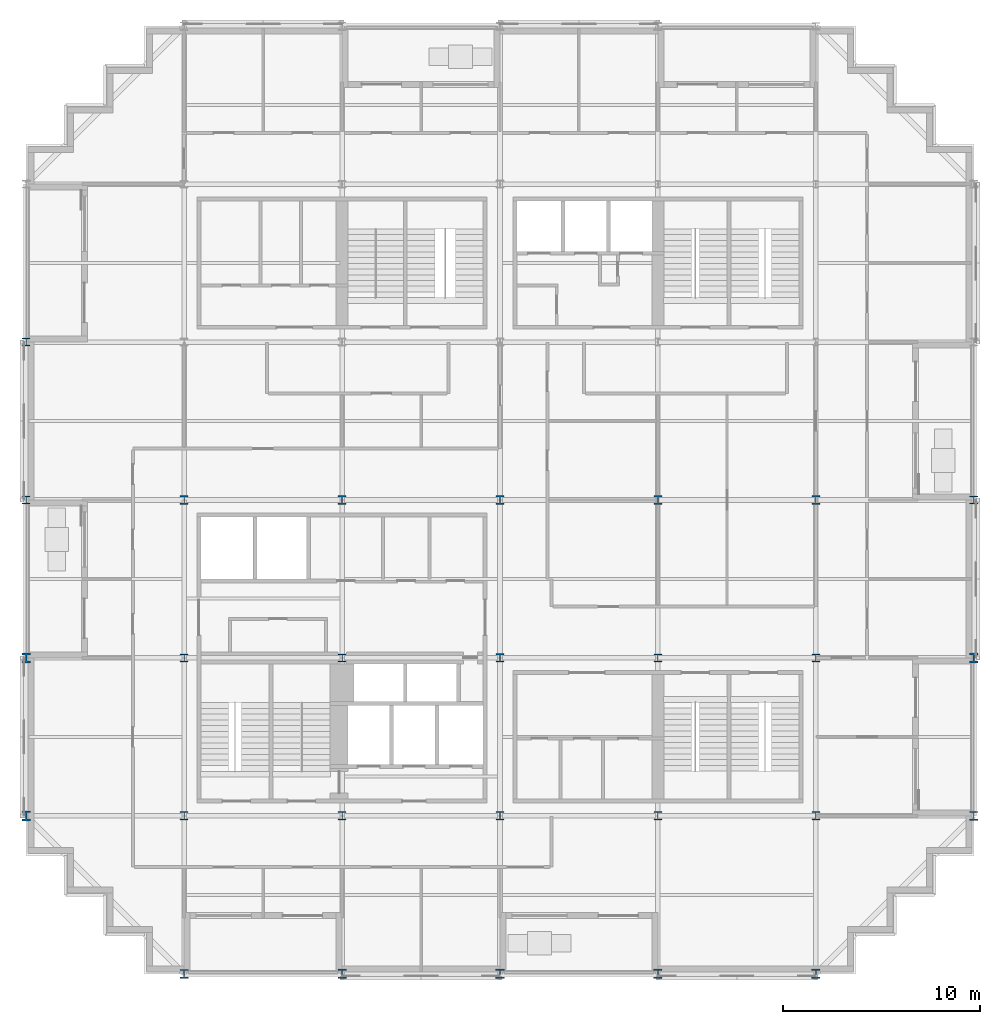
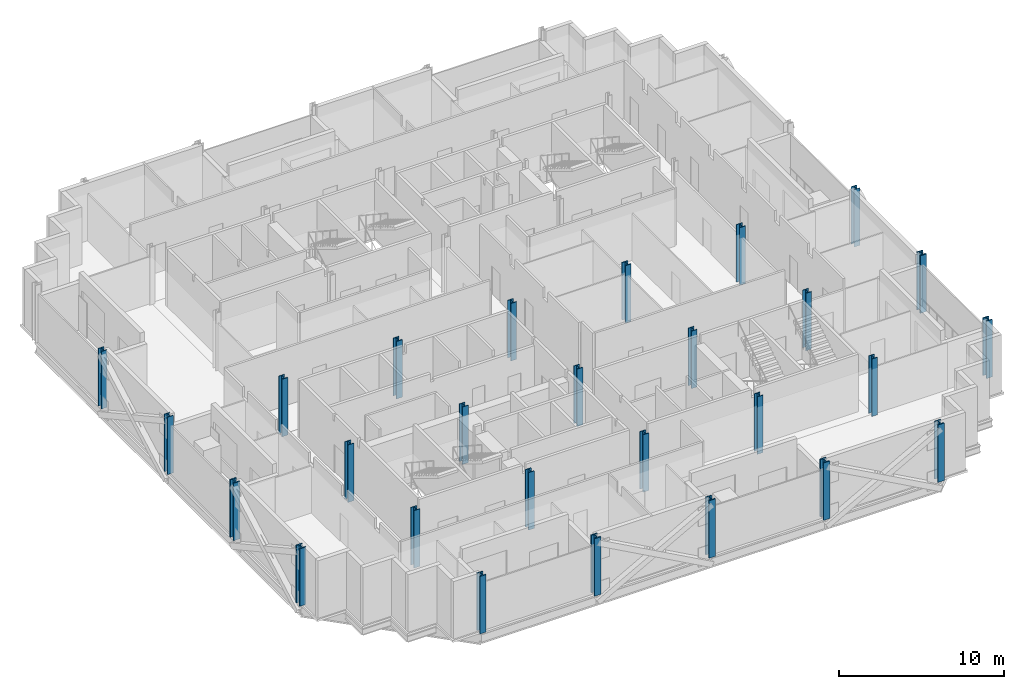
# One storey, part 1 of 15: 27 columns.
"""IFC4 building model written with IfcOpenShell, lengths in metres."""

import ifcopenshell
import ifcopenshell.guid

model = None  # the IFC model being written
_history = None  # IfcOwnerHistory: only IFC2X3 demands one
_inside = {}  # id of a spatial element -> (the spatial element, [elements in it])
_under = {}  # id of a project, library or spatial element -> (it, [spatial elements below it])
_declared = {}  # id of a project -> (the project, [libraries it declares])
_typed = {}  # id of a type object -> (the type object, [elements of that type])
_made_of = {}  # id of a material, layer set ... -> (it, [elements and type objects made of it])


def new_model(schema):
    """Start an empty IFC model of exactly this schema.

    Asked for "IFC4X3", IfcOpenShell would pick the latest addendum, in which some entities
    have other attributes; the version numbers below select the first issue.
    IFC2X3 requires an IfcOwnerHistory on every rooted entity: one is made here for all.
    """
    global model, _history
    if schema == "IFC4X3":
        model = ifcopenshell.file(schema_version=(4, 3, 0, 0))
    else:
        model = ifcopenshell.file(schema=schema)
    _inside.clear()
    _under.clear()
    _declared.clear()
    _typed.clear()
    _made_of.clear()
    _history = None
    if model.schema == "IFC2X3":
        org = make("IfcOrganization", Name="unknown")
        user = make(
            "IfcPersonAndOrganization",
            ThePerson=make("IfcPerson", FamilyName="unknown"),
            TheOrganization=org,
        )
        app = make(
            "IfcApplication",
            ApplicationDeveloper=org,
            Version="unknown",
            ApplicationFullName="unknown",
            ApplicationIdentifier="unknown",
        )
        _history = make(
            "IfcOwnerHistory",
            OwningUser=user,
            OwningApplication=app,
            ChangeAction="ADDED",
            CreationDate=0,
        )
    return model


def make(cls, **values):
    """One entity of the class cls with the attributes given. An attribute that is None is left unset."""
    return model.create_entity(
        cls, **{name: value for name, value in values.items() if value is not None}
    )


def rooted(cls, **values):
    """An entity with a GlobalId (a new one), such as an element, a storey or a relation."""
    return make(cls, GlobalId=ifcopenshell.guid.new(), OwnerHistory=_history, **values)


def si_unit(unit_type, name, prefix=None):
    """IfcSIUnit, for example si_unit("LENGTHUNIT", "METRE", prefix="MILLI")."""
    return make("IfcSIUnit", UnitType=unit_type, Prefix=prefix, Name=name)


def assignment(units):
    """IfcUnitAssignment: the units of a project."""
    return None if units is None else make("IfcUnitAssignment", Units=units)


def point(xyz):
    """IfcCartesianPoint."""
    return None if xyz is None else make("IfcCartesianPoint", Coordinates=xyz)


def direction(xyz):
    """IfcDirection."""
    return None if xyz is None else make("IfcDirection", DirectionRatios=xyz)


def frame(location, z_axis=None, x_axis=None):
    """IfcAxis2Placement3D, a coordinate frame: its origin and axes. An axis left out is left unset."""
    return make(
        "IfcAxis2Placement3D",
        Location=point(location),
        Axis=direction(z_axis),
        RefDirection=direction(x_axis),
    )


def frame_2d(location, x_axis=None):
    """IfcAxis2Placement2D, a coordinate frame in the plane: its origin and x axis."""
    return make(
        "IfcAxis2Placement2D", Location=point(location), RefDirection=direction(x_axis)
    )


def origin():
    """The frame at (0, 0, 0) with its axes left unset."""
    return frame((0.0, 0.0, 0.0))


def origin_2d():
    """The frame at (0, 0) in the plane with its x axis left unset."""
    return frame_2d((0.0, 0.0))


def place(relative_to, where):
    """IfcLocalPlacement: puts the frame where relative to a parent placement (None: the world)."""
    return make(
        "IfcLocalPlacement", PlacementRelTo=relative_to, RelativePlacement=where
    )


def context(
    kind, dimensions, precision=None, world=None, true_north=None, identifier=None
):
    """IfcGeometricRepresentationContext, for example the 3D "Model" context."""
    return make(
        "IfcGeometricRepresentationContext",
        ContextIdentifier=identifier,
        ContextType=kind,
        CoordinateSpaceDimension=dimensions,
        Precision=precision,
        WorldCoordinateSystem=world,
        TrueNorth=true_north,
    )


def subcontext(parent, identifier, kind, view, scale=None):
    """IfcGeometricRepresentationSubContext, for example "Body" below "Model"."""
    return make(
        "IfcGeometricRepresentationSubContext",
        ContextIdentifier=identifier,
        ContextType=kind,
        ParentContext=parent,
        TargetScale=scale,
        TargetView=view,
    )


def project(units=None, contexts=None):
    """IfcProject with its units and contexts."""
    return rooted(
        "IfcProject",
        Name="project",
        RepresentationContexts=contexts,
        UnitsInContext=assignment(units),
    )


def spatial(cls, under=None, at=None, **own):
    """A site, building, storey or space (cls), placed at a placement, below another one or the project."""
    s = rooted(cls, ObjectPlacement=at, **own)
    if under is not None:
        _under.setdefault(under.id(), (under, []))[1].append(s)
    return s


def profile(cls, at=None, kind="AREA", **sizes):
    """A parametric profile (cls). Its sizes go by their IFC names, for example OverallWidth=200.0."""
    return make(cls, ProfileType=kind, Position=at, **sizes)


def i_section(**sizes):
    """IfcIShapeProfileDef."""
    return profile("IfcIShapeProfileDef", **sizes)


def extrude(swept, where, along, depth):
    """IfcExtrudedAreaSolid: the profile swept, set in the frame where, extruded along a direction by depth."""
    return make(
        "IfcExtrudedAreaSolid",
        SweptArea=swept,
        Position=where,
        ExtrudedDirection=direction(along),
        Depth=depth,
    )


def shape(context_of_items, identifier, shape_type, items):
    """IfcShapeRepresentation: the items that make up one representation, for example the "Body"."""
    return make(
        "IfcShapeRepresentation",
        ContextOfItems=context_of_items,
        RepresentationIdentifier=identifier,
        RepresentationType=shape_type,
        Items=items,
    )


def material(Name=None, Category=None):
    """IfcMaterial."""
    return make("IfcMaterial", Name=Name, Category=Category)


def material_profile(
    of_material, cross_section, Name=None, Category=None, Priority=None
):
    """IfcMaterialProfile: a cross section and its material."""
    return make(
        "IfcMaterialProfile",
        Name=Name,
        Material=of_material,
        Profile=cross_section,
        Priority=Priority,
        Category=Category,
    )


def profile_set(profiles, Name=None, composite=None):
    """IfcMaterialProfileSet."""
    return make(
        "IfcMaterialProfileSet",
        Name=Name,
        MaterialProfiles=profiles,
        CompositeProfile=composite,
    )


def made_of(thing, what):
    """Note that an element or type object is made of a material, layer set ...; save() writes the relation."""
    if what is not None:
        _made_of.setdefault(what.id(), (what, []))[1].append(thing)
    return thing


def type_object(cls, material=None, **own):
    """A type object (cls), such as IfcWallType, which elements share."""
    return made_of(rooted(cls, **own), material)


def element(
    cls,
    number,
    at=None,
    inside=None,
    cuts=None,
    type_object=None,
    material=None,
    context=None,
    identifier="Body",
    shape_type=None,
    held_by="IfcProductDefinitionShape",
    body=None,
    shapes=None,
    **own,
):
    """One element of the class cls, such as IfcWall. Its Tag is "e" and its number.

    at: its placement. inside: the storey or other place that contains it. cuts: it is an
    opening in that element (IfcRelVoidsElement). A single representation is given by context,
    identifier, shape_type and body (its items); several are given by shapes. held_by: the class
    of the entity that holds the representations. save() writes the other relations.
    """
    e = rooted(cls, Tag="e%d" % number, ObjectPlacement=at, **own)
    if body is not None:
        shapes = [shape(context, identifier, shape_type, body)]
    if shapes is not None:
        e.Representation = make(held_by, Representations=shapes)
    if inside is not None:
        _inside.setdefault(inside.id(), (inside, []))[1].append(e)
    if cuts is not None:
        rooted(
            "IfcRelVoidsElement", RelatingBuildingElement=cuts, RelatedOpeningElement=e
        )
    if type_object is not None:
        _typed.setdefault(type_object.id(), (type_object, []))[1].append(e)
    return made_of(e, material)


def aggregate(whole, parts):
    """IfcRelAggregates: a whole, such as a stair, and the parts it consists of."""
    return rooted("IfcRelAggregates", RelatingObject=whole, RelatedObjects=parts)


def save(model, path):
    """Write the relations noted so far, then the file.

    IfcRelAggregates (storeys below a building ...), IfcRelContainedInSpatialStructure (elements
    in a storey), IfcRelDefinesByType, IfcRelAssociatesMaterial and IfcRelDeclares: one each for
    every whole, place, type object, material and project.
    """
    for whole, parts in _under.values():
        aggregate(whole, parts)
    for where, things in _inside.values():
        rooted(
            "IfcRelContainedInSpatialStructure",
            RelatedElements=things,
            RelatingStructure=where,
        )
    for kind, things in _typed.values():
        rooted("IfcRelDefinesByType", RelatedObjects=things, RelatingType=kind)
    for what, things in _made_of.values():
        rooted("IfcRelAssociatesMaterial", RelatedObjects=things, RelatingMaterial=what)
    for by, libraries in _declared.values():
        rooted("IfcRelDeclares", RelatingContext=by, RelatedDefinitions=libraries)
    model.write(path)


model = new_model("IFC4")

# Units and contexts
model_context = context("Model", 3, precision=1e-05, world=origin(), true_north=direction((0.0, 1.0)))
body_context = subcontext(model_context, "Body", "Model", "MODEL_VIEW")
ifc_project = project(units=[si_unit("LENGTHUNIT", "METRE"), si_unit("AREAUNIT", "SQUARE_METRE"), si_unit("VOLUMEUNIT", "CUBIC_METRE"), si_unit("PLANEANGLEUNIT", "RADIAN"), si_unit("MASSUNIT", "GRAM", prefix="KILO")], contexts=[model_context])

# Site, building, storey
site_placement = place(None, origin())
site = spatial("IfcSite", under=ifc_project, at=site_placement, CompositionType="ELEMENT")
building_placement = place(site_placement, origin())
building = spatial("IfcBuilding", under=site, at=building_placement, Name="Immortelle Media Tower", CompositionType="ELEMENT")
storey_placement = place(building_placement, frame((0.0, 0.0, 105.199951171875)))
storey = spatial("IfcBuildingStorey", under=building, at=storey_placement, Name="L20", CompositionType="ELEMENT", Elevation=105.199951171875)

# Columns
ifc_material = material(Name="Steel ASTM A992 Gr 50", Category="steel")
ifc_material_profile_1 = material_profile(ifc_material, i_section(OverallWidth=0.39892578125, OverallDepth=0.385986328125, WebThickness=0.02099609375, FlangeThickness=0.032958984375, at=origin_2d()), Name="W14x176")
ifc_profile_set_1 = profile_set([ifc_material_profile_1], Name="Steel ASTM A992 Gr 50")
column_type_1 = type_object("IfcColumnType", Name="W14x176 column", PredefinedType="COLUMN", material=ifc_profile_set_1)
column_placement = place(storey_placement, frame((48.0, 24.0, 0.0), z_axis=(0.0, 0.0, 1.0), x_axis=(1.0, 0.0, 0.0)))
element("IfcColumn", 1, at=column_placement, inside=storey, type_object=column_type_1, Name="Column 7/D", PredefinedType="COLUMN", context=body_context, shape_type="SweptSolid", body=[
    extrude(i_section(OverallWidth=0.39892578125, OverallDepth=0.385986328125, WebThickness=0.02099609375, FlangeThickness=0.032958984375, at=origin_2d()), origin(), (0.0, 0.0, 1.0), 4.25),
])
ifc_material_profile_2 = material_profile(ifc_material, i_section(OverallWidth=0.406005859375, OverallDepth=0.4169921875, WebThickness=0.030029296875, FlangeThickness=0.048095703125, at=origin_2d()), Name="W14x257")
ifc_profile_set_2 = profile_set([ifc_material_profile_2], Name="Steel ASTM A992 Gr 50")
column_type_2 = type_object("IfcColumnType", Name="W14x257 column", PredefinedType="COLUMN", material=ifc_profile_set_2)
for number, where, z_axis, x_axis, name in (
    (2, (0.0, 24.0, 0.0), (0.0, 0.0, 1.0), (1.0, 0.0, 0.0), "Column 1/D"),
    (3, (0.0, 32.0, 0.0), (0.0, 0.0, 1.0), (1.0, 0.0, 0.0), "Column 1/E"),
    (4, (8.0, 8.0, 0.0), (0.0, 0.0, 1.0), (1.0, 0.0, 0.0), "Column 2/B"),
    (5, (8.0, 16.0, 0.0), (0.0, 0.0, 1.0), (1.0, 0.0, 0.0), "Column 2/C"),
    (6, (16.0, 8.0, 0.0), (0.0, 0.0, 1.0), (1.0, 0.0, 0.0), "Column 3/B"),
    (7, (16.0, 16.0, 0.0), (0.0, 0.0, 1.0), (1.0, 0.0, 0.0), "Column 3/C"),
    (8, (32.0, 8.0, 0.0), (0.0, 0.0, 1.0), (1.0, 0.0, 0.0), "Column 5/B"),
    (9, (32.0, 16.0, 0.0), (0.0, 0.0, 1.0), (1.0, 0.0, 0.0), "Column 5/C"),
    (10, (40.0, 8.0, 0.0), (0.0, 0.0, 1.0), (1.0, 0.0, 0.0), "Column 6/B"),
    (11, (40.0, 16.0, 0.0), (0.0, 0.0, 1.0), (1.0, 0.0, 0.0), "Column 6/C"),
):
    element("IfcColumn", number, at=place(storey_placement, frame(where, z_axis=z_axis, x_axis=x_axis)), inside=storey, type_object=column_type_2, Name=name, PredefinedType="COLUMN", context=body_context, shape_type="SweptSolid", body=[
        extrude(i_section(OverallWidth=0.406005859375, OverallDepth=0.4169921875, WebThickness=0.030029296875, FlangeThickness=0.048095703125, at=origin_2d()), origin(), (0.0, 0.0, 1.0), 4.25),
    ])
ifc_material_profile_3 = material_profile(ifc_material, i_section(OverallWidth=0.410888671875, OverallDepth=0.43408203125, WebThickness=0.035888671875, FlangeThickness=0.056884765625, at=origin_2d()), Name="W14x311")
ifc_profile_set_3 = profile_set([ifc_material_profile_3], Name="Steel ASTM A992 Gr 50")
column_type_3 = type_object("IfcColumnType", Name="W14x311 column", PredefinedType="COLUMN", material=ifc_profile_set_3)
for number, where, z_axis, x_axis, name in (
    (12, (8.0, 24.0, 0.0), (0.0, 0.0, 1.0), (1.0, 0.0, 0.0), "Column 2/D"),
    (13, (16.0, 24.0, 0.0), (0.0, 0.0, 1.0), (1.0, 0.0, 0.0), "Column 3/D"),
    (14, (24.0, 8.0, 0.0), (0.0, 0.0, 1.0), (1.0, 0.0, 0.0), "Column 4/B"),
    (15, (24.0, 16.0, 0.0), (0.0, 0.0, 1.0), (1.0, 0.0, 0.0), "Column 4/C"),
    (16, (24.0, 24.0, 0.0), (0.0, 0.0, 1.0), (1.0, 0.0, 0.0), "Column 4/D"),
    (17, (32.0, 24.0, 0.0), (0.0, 0.0, 1.0), (1.0, 0.0, 0.0), "Column 5/D"),
    (18, (40.0, 24.0, 0.0), (0.0, 0.0, 1.0), (1.0, 0.0, 0.0), "Column 6/D"),
):
    element("IfcColumn", number, at=place(storey_placement, frame(where, z_axis=z_axis, x_axis=x_axis)), inside=storey, type_object=column_type_3, Name=name, PredefinedType="COLUMN", context=body_context, shape_type="SweptSolid", body=[
        extrude(i_section(OverallWidth=0.410888671875, OverallDepth=0.43408203125, WebThickness=0.035888671875, FlangeThickness=0.056884765625, at=origin_2d()), origin(), (0.0, 0.0, 1.0), 4.25),
    ])
ifc_material_profile_4 = material_profile(ifc_material, i_section(OverallWidth=0.4189453125, OverallDepth=0.455078125, WebThickness=0.0419921875, FlangeThickness=0.068115234375, at=origin_2d()), Name="W14x370")
ifc_profile_set_4 = profile_set([ifc_material_profile_4], Name="Steel ASTM A992 Gr 50")
column_type_4 = type_object("IfcColumnType", Name="W14x370 column", PredefinedType="COLUMN", material=ifc_profile_set_4)
for number, where, z_axis, x_axis, name in (
    (19, (8.0, 0.0, 0.0), (0.0, 0.0, 1.0), (1.0, 0.0, 0.0), "Column 2/A"),
    (20, (48.0, 8.0, 0.0), (0.0, 0.0, 1.0), (1.0, 0.0, 0.0), "Column 7/B"),
):
    element("IfcColumn", number, at=place(storey_placement, frame(where, z_axis=z_axis, x_axis=x_axis)), inside=storey, type_object=column_type_4, Name=name, PredefinedType="COLUMN", context=body_context, shape_type="SweptSolid", body=[
        extrude(i_section(OverallWidth=0.4189453125, OverallDepth=0.455078125, WebThickness=0.0419921875, FlangeThickness=0.068115234375, at=origin_2d()), origin(), (0.0, 0.0, 1.0), 4.25),
    ])
ifc_material_profile_5 = material_profile(ifc_material, i_section(OverallWidth=0.431884765625, OverallDepth=0.498046875, WebThickness=0.055908203125, FlangeThickness=0.089111328125, at=origin_2d()), Name="W14x500")
ifc_profile_set_5 = profile_set([ifc_material_profile_5], Name="Steel ASTM A992 Gr 50")
column_type_5 = type_object("IfcColumnType", Name="W14x500 column", PredefinedType="COLUMN", material=ifc_profile_set_5)
for number, where, z_axis, x_axis, name in (
    (21, (0.0, 8.0, 0.0), (0.0, 0.0, 1.0), (1.0, 0.0, 0.0), "Column 1/B"),
    (22, (0.0, 16.0, 0.0), (0.0, 0.0, 1.0), (1.0, 0.0, 0.0), "Column 1/C"),
    (23, (16.0, 0.0, 0.0), (0.0, 0.0, 1.0), (1.0, 0.0, 0.0), "Column 3/A"),
    (24, (24.0, 0.0, 0.0), (0.0, 0.0, 1.0), (1.0, 0.0, 0.0), "Column 4/A"),
    (25, (32.0, 0.0, 0.0), (0.0, 0.0, 1.0), (1.0, 0.0, 0.0), "Column 5/A"),
    (26, (40.0, 0.0, 0.0), (0.0, 0.0, 1.0), (1.0, 0.0, 0.0), "Column 6/A"),
    (27, (48.0, 16.0, 0.0), (0.0, 0.0, 1.0), (1.0, 0.0, 0.0), "Column 7/C"),
):
    element("IfcColumn", number, at=place(storey_placement, frame(where, z_axis=z_axis, x_axis=x_axis)), inside=storey, type_object=column_type_5, Name=name, PredefinedType="COLUMN", context=body_context, shape_type="SweptSolid", body=[
        extrude(i_section(OverallWidth=0.431884765625, OverallDepth=0.498046875, WebThickness=0.055908203125, FlangeThickness=0.089111328125, at=origin_2d()), origin(), (0.0, 0.0, 1.0), 4.25),
    ])

save(model, "model.ifc")
